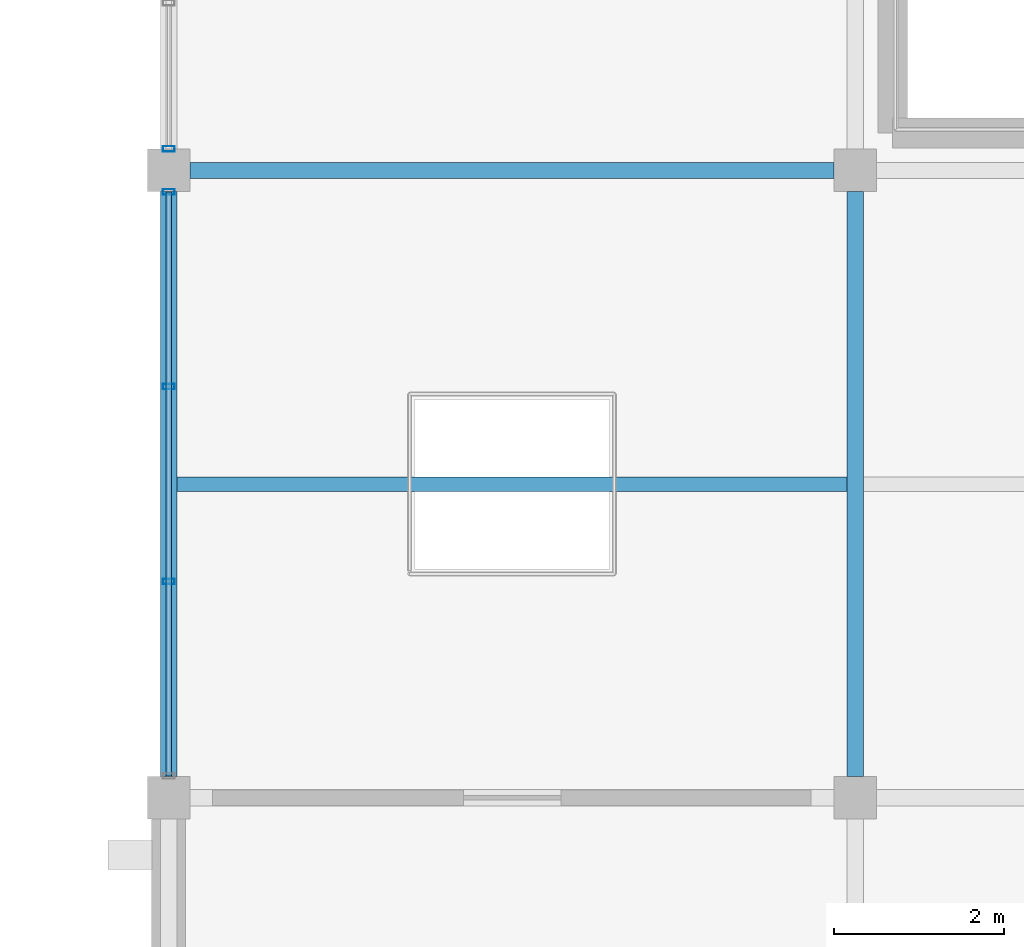
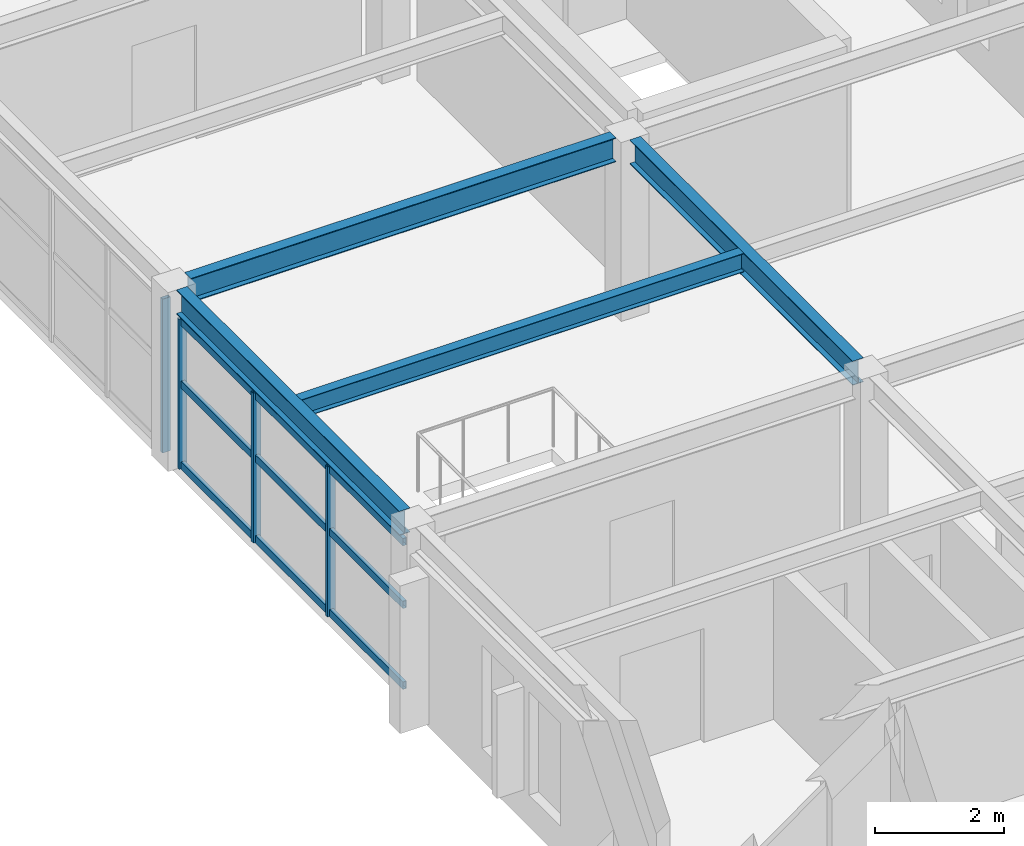
# One storey, part 65 of 93: 7 members, 4 beams, 2 elements without a shape of their own.
"""IFC4 building model written with IfcOpenShell, lengths in metres."""

from ifc_helpers import new_model, si_unit, direction, frame, origin, origin_2d, place, context, subcontext, project, spatial, hollow_rectangle, i_section, extrude, material, material_profile, profile_set, type_object, element, aggregate, save


model = new_model("IFC4")

# Units and contexts
model_context = context("Model", 3, precision=1e-05, world=origin(), true_north=direction((0.0, 1.0)))
body_context = subcontext(model_context, "Body", "Model", "MODEL_VIEW")
ifc_project = project(units=[si_unit("LENGTHUNIT", "METRE"), si_unit("AREAUNIT", "SQUARE_METRE"), si_unit("VOLUMEUNIT", "CUBIC_METRE"), si_unit("PLANEANGLEUNIT", "RADIAN"), si_unit("MASSUNIT", "GRAM", prefix="KILO")], contexts=[model_context])

# Site, building, storey
site_placement = place(None, origin())
site = spatial("IfcSite", under=ifc_project, at=site_placement, CompositionType="ELEMENT")
building_placement = place(site_placement, origin())
building = spatial("IfcBuilding", under=site, at=building_placement, Name="Cimatlan Art Gallery", CompositionType="ELEMENT")
storey_placement = place(building_placement, frame((0.0, 0.0, 13.800048828125)))
storey = spatial("IfcBuildingStorey", under=building, at=storey_placement, Name="L03", CompositionType="ELEMENT", Elevation=13.800048828125)

# Beams
ifc_material_1 = material(Name="Steel ASTM A992 Grade 50", Category="steel")
ifc_material_profile_1 = material_profile(ifc_material_1, i_section(OverallWidth=0.1708984375, OverallDepth=0.35107421875, WebThickness=0.0068359375, FlangeThickness=0.009765625, at=origin_2d()), Name="W14X30")
ifc_profile_set_1 = profile_set([ifc_material_profile_1], Name="Steel ASTM A992 Grade 50")
beam_type_1 = type_object("IfcBeamType", Name="BM-STL-W14X30", PredefinedType="JOIST", material=ifc_profile_set_1)
beam_1_placement = place(storey_placement, frame((147.8955078125, 42.39990234375, 3.204345703125), z_axis=(1.0, 0.0, 0.0), x_axis=(0.0, 1.0, 0.0)))
element("IfcBeam", 1, at=beam_1_placement, inside=storey, type_object=beam_type_1, Name="JST-L03-18-05", PredefinedType="JOIST", context=body_context, shape_type="SweptSolid", body=[
    extrude(i_section(OverallWidth=0.1708984375, OverallDepth=0.35107421875, WebThickness=0.0068359375, FlangeThickness=0.009765625, at=origin_2d()), origin(), (0.0, 0.0, 1.0), 7.908935546875),
])
ifc_material_profile_2 = material_profile(ifc_material_1, i_section(OverallWidth=0.19091796875, OverallDepth=0.45703125, WebThickness=0.009033203125, FlangeThickness=0.014404296875, at=origin_2d()), Name="W18X50")
ifc_profile_set_2 = profile_set([ifc_material_profile_2], Name="Steel ASTM A992 Grade 50")
beam_type_2 = type_object("IfcBeamType", Name="BM-STL-W18X50", PredefinedType="BEAM", material=ifc_profile_set_2)
for number, where, z_axis, x_axis, name in (
    (2, (147.800048828125, 38.949951171875, 3.1513671875), (0.0, 1.0, 0.0), (-1.0, 0.0, 0.0), "BM-Y-L03-18-05"),
    (3, (155.89990234375, 38.949951171875, 3.1513671875), (0.0, 1.0, 0.0), (-1.0, 0.0, 0.0), "BM-Y-L03-19-05"),
):
    element("IfcBeam", number, at=place(storey_placement, frame(where, z_axis=z_axis, x_axis=x_axis)), inside=storey, type_object=beam_type_2, Name=name, PredefinedType="BEAM", context=body_context, shape_type="SweptSolid", body=[
        extrude(i_section(OverallWidth=0.19091796875, OverallDepth=0.45703125, WebThickness=0.009033203125, FlangeThickness=0.014404296875, at=origin_2d()), origin(), (0.0, 0.0, 1.0), 6.900146484375),
    ])
beam_2_placement = place(storey_placement, frame((148.050048828125, 46.10009765625, 3.1513671875), z_axis=(1.0, 0.0, 0.0), x_axis=(0.0, 1.0, 0.0)))
element("IfcBeam", 4, at=beam_2_placement, inside=storey, type_object=beam_type_2, Name="BM-X-L03-18-06", PredefinedType="BEAM", context=body_context, shape_type="SweptSolid", body=[
    extrude(i_section(OverallWidth=0.19091796875, OverallDepth=0.45703125, WebThickness=0.009033203125, FlangeThickness=0.014404296875, at=origin_2d()), origin(), (0.0, 0.0, 1.0), 7.599853515625),
])

# Curtain wall, members
ifc_material_2 = material(Name="Anodised bronze unitised curtain wall")
curtain_wall_type_1 = type_object("IfcCurtainWallType", Name="CW-V-06892X02833-B3", PredefinedType="NOTDEFINED", material=ifc_material_2)
curtain_wall_1_placement = place(storey_placement, origin())
curtain_wall_1 = element("IfcCurtainWall", 5, at=curtain_wall_1_placement, inside=storey, type_object=curtain_wall_type_1, Name="CW-L03-18-05-W", PredefinedType="NOTDEFINED")
ifc_material_3 = material(Name="Anodised bronze aluminium 6063-T6", Category="aluminium")
ifc_material_profile_3 = material_profile(ifc_material_3, hollow_rectangle(XDim=0.06494140625, YDim=0.139892578125, WallThickness=0.00390625, at=origin_2d()), Name="ALU65X140X4")
ifc_profile_set_3 = profile_set([ifc_material_profile_3], Name="Anodised bronze aluminium 6063-T6")
member_type_1 = type_object("IfcMemberType", Name="CW-MUL-140", PredefinedType="MULLION", material=ifc_profile_set_3)
member_1_placement = place(storey_placement, frame((147.800048828125, 41.251220703125, 0.0), z_axis=(0.0, 0.0, 1.0), x_axis=(0.0, 1.0, 0.0)))
member_1 = element("IfcMember", 6, at=member_1_placement, type_object=member_type_1, Name="CW-L03-18-05-W-M2", PredefinedType="MULLION", context=body_context, shape_type="SweptSolid", body=[
    extrude(hollow_rectangle(XDim=0.06494140625, YDim=0.139892578125, WallThickness=0.00390625, at=origin_2d()), origin(), (0.0, 0.0, 1.0), 2.8330078125),
])
member_2_placement = place(storey_placement, frame((147.800048828125, 43.548583984375, 0.0), z_axis=(0.0, 0.0, 1.0), x_axis=(0.0, 1.0, 0.0)))
member_2 = element("IfcMember", 7, at=member_2_placement, type_object=member_type_1, Name="CW-L03-18-05-W-M3", PredefinedType="MULLION", context=body_context, shape_type="SweptSolid", body=[
    extrude(hollow_rectangle(XDim=0.06494140625, YDim=0.139892578125, WallThickness=0.00390625, at=origin_2d()), origin(), (0.0, 0.0, 1.0), 2.8330078125),
])
member_3_placement = place(storey_placement, frame((147.800048828125, 45.845947265625, 0.0), z_axis=(0.0, 0.0, 1.0), x_axis=(0.0, 1.0, 0.0)))
member_3 = element("IfcMember", 8, at=member_3_placement, type_object=member_type_1, Name="CW-L03-18-05-W-M4", PredefinedType="MULLION", context=body_context, shape_type="SweptSolid", body=[
    extrude(hollow_rectangle(XDim=0.06494140625, YDim=0.139892578125, WallThickness=0.00390625, at=origin_2d()), origin(), (0.0, 0.0, 1.0), 2.8330078125),
])

# Curtain wall, member
curtain_wall_type_2 = type_object("IfcCurtainWallType", Name="CW-V-06892X02908-B4", PredefinedType="NOTDEFINED", material=ifc_material_2)
curtain_wall_2_placement = place(storey_placement, origin())
curtain_wall_2 = element("IfcCurtainWall", 9, at=curtain_wall_2_placement, inside=storey, type_object=curtain_wall_type_2, Name="CW-L03-18-06-W", PredefinedType="NOTDEFINED")
member_4_placement = place(storey_placement, frame((147.800048828125, 46.35400390625, 0.0), z_axis=(0.0, 0.0, 1.0), x_axis=(0.0, 1.0, 0.0)))
member_4 = element("IfcMember", 10, at=member_4_placement, type_object=member_type_1, Name="CW-L03-18-06-W-M1", PredefinedType="MULLION", context=body_context, shape_type="SweptSolid", body=[
    extrude(hollow_rectangle(XDim=0.06494140625, YDim=0.139892578125, WallThickness=0.00390625, at=origin_2d()), origin(), (0.0, 0.0, 1.0), 2.907958984375),
])
aggregate(curtain_wall_2, [member_4])

# Member
ifc_material_profile_4 = material_profile(ifc_material_3, hollow_rectangle(XDim=0.06494140625, YDim=0.139892578125, WallThickness=0.00390625, at=origin_2d()), Name="ALU65X140X4")
ifc_profile_set_4 = profile_set([ifc_material_profile_4], Name="Anodised bronze aluminium 6063-T6")
member_type_2 = type_object("IfcMemberType", Name="CW-TRN-140", PredefinedType="USERDEFINED", material=ifc_profile_set_4)
member_5_placement = place(storey_placement, frame((147.800048828125, 38.9541015625, 0.06005859375), z_axis=(0.0, 1.0, 0.0), x_axis=(-1.0, 0.0, 0.0)))
member_5 = element("IfcMember", 11, at=member_5_placement, type_object=member_type_2, Name="CW-L03-18-05-W-T1", ObjectType="TRANSOM", PredefinedType="USERDEFINED", context=body_context, shape_type="SweptSolid", body=[
    extrude(hollow_rectangle(XDim=0.06494140625, YDim=0.139892578125, WallThickness=0.00390625, at=origin_2d()), origin(), (0.0, 0.0, 1.0), 6.891845703125),
])

member_6_placement = place(storey_placement, frame((147.800048828125, 38.9541015625, 1.58642578125), z_axis=(0.0, 1.0, 0.0), x_axis=(-1.0, 0.0, 0.0)))
member_6 = element("IfcMember", 12, at=member_6_placement, type_object=member_type_2, Name="CW-L03-18-05-W-T2", ObjectType="TRANSOM", PredefinedType="USERDEFINED", context=body_context, shape_type="SweptSolid", body=[
    extrude(hollow_rectangle(XDim=0.06494140625, YDim=0.139892578125, WallThickness=0.00390625, at=origin_2d()), origin(), (0.0, 0.0, 1.0), 6.891845703125),
])

member_7_placement = place(storey_placement, frame((147.800048828125, 38.9541015625, 2.77294921875), z_axis=(0.0, 1.0, 0.0), x_axis=(-1.0, 0.0, 0.0)))
member_7 = element("IfcMember", 13, at=member_7_placement, type_object=member_type_2, Name="CW-L03-18-05-W-T3", ObjectType="TRANSOM", PredefinedType="USERDEFINED", context=body_context, shape_type="SweptSolid", body=[
    extrude(hollow_rectangle(XDim=0.06494140625, YDim=0.139892578125, WallThickness=0.00390625, at=origin_2d()), origin(), (0.0, 0.0, 1.0), 6.891845703125),
])

aggregate(curtain_wall_1, [member_1, member_2, member_3, member_5, member_6, member_7])

save(model, "model.ifc")
